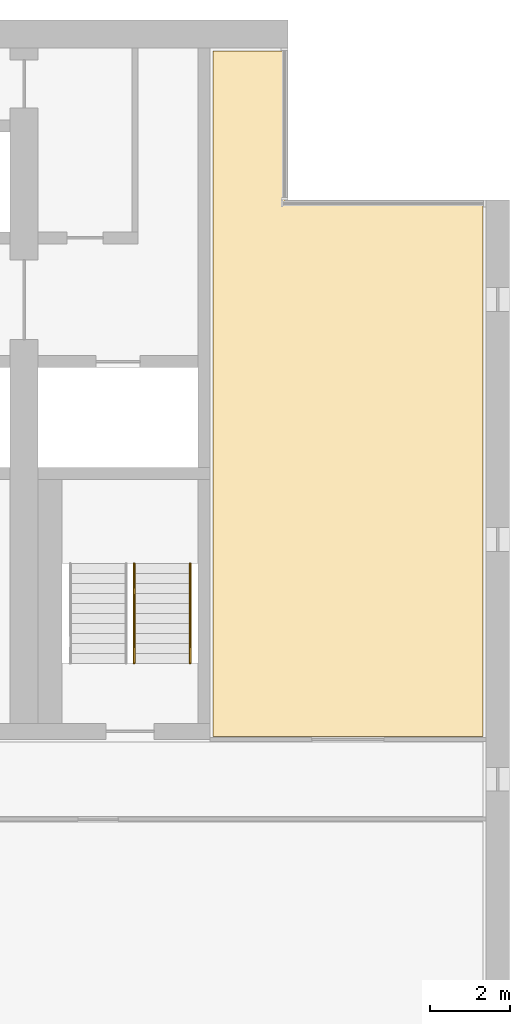
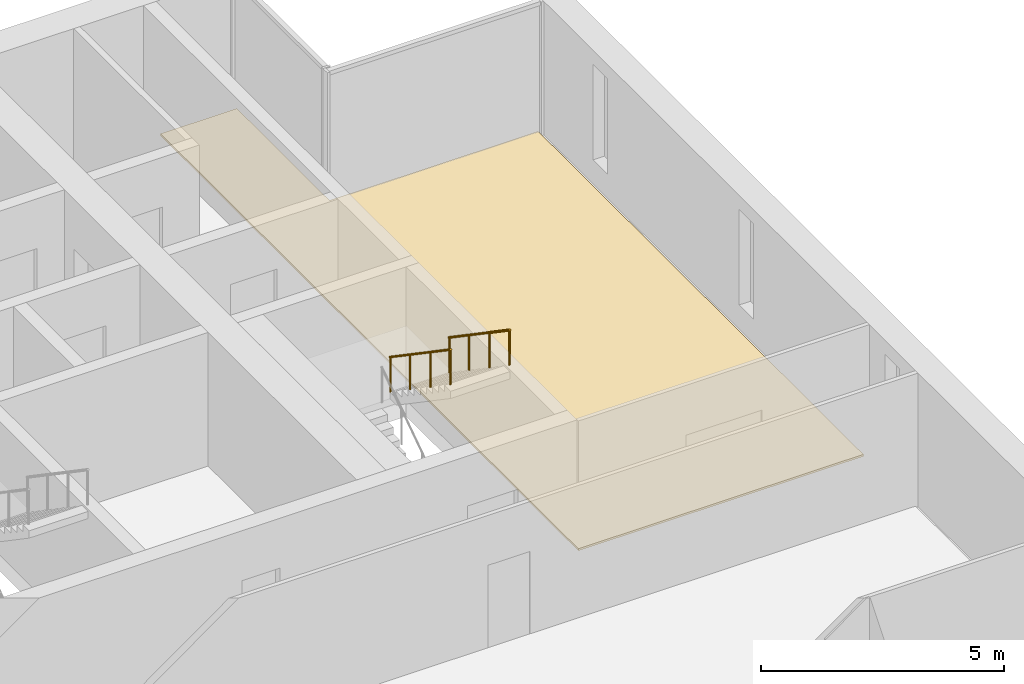
# One storey, part 17 of 17: 2 railings, 1 covering, 1 element without a shape of its own.
"""IFC4 building model written with IfcOpenShell, lengths in metres."""

from ifc_helpers import new_model, si_unit, direction, frame, origin, origin_2d, place, context, subcontext, project, spatial, polyline, circle, outline, extrude, material, layer, layer_set, type_object, element, aggregate, save


model = new_model("IFC4")

# Units and contexts
model_context = context("Model", 3, precision=1e-05, world=origin(), true_north=direction((0.0, 1.0)))
body_context = subcontext(model_context, "Body", "Model", "MODEL_VIEW")
ifc_project = project(units=[si_unit("LENGTHUNIT", "METRE"), si_unit("AREAUNIT", "SQUARE_METRE"), si_unit("VOLUMEUNIT", "CUBIC_METRE"), si_unit("PLANEANGLEUNIT", "RADIAN"), si_unit("MASSUNIT", "GRAM", prefix="KILO")], contexts=[model_context])

# Site, building, storey
site_placement = place(None, origin())
site = spatial("IfcSite", under=ifc_project, at=site_placement, CompositionType="ELEMENT")
building_placement = place(site_placement, origin())
building = spatial("IfcBuilding", under=site, at=building_placement, Name="Calvaro Tower", CompositionType="ELEMENT")
storey_placement = place(building_placement, frame((0.0, 0.0, 204.25)))
storey = spatial("IfcBuildingStorey", under=building, at=storey_placement, Name="L51", CompositionType="ELEMENT", Elevation=204.25)

# Covering
ifc_material_1 = material(Name="Cement screed with carpet tile finish")
ifc_layer = layer(ifc_material_1, 0.050048828125)
ifc_layer_set = layer_set([ifc_layer], Name="Cement screed with carpet tile finish")
covering_type = type_object("IfcCoveringType", Name="Floor finish 50", PredefinedType="FLOORING", material=ifc_layer_set)
covering_placement = place(storey_placement, origin())
element("IfcCovering", 1, at=covering_placement, inside=storey, type_object=covering_type, Name="Floor finish 29.19", PredefinedType="FLOORING", context=body_context, shape_type="SweptSolid", body=[
    extrude(outline(polyline([(71.330078125, 28.070068359375), (64.570068359375, 28.070068359375), (64.570068359375, 45.22998046875), (66.3798828125, 45.22998046875), (66.3798828125, 41.429931640625), (71.330078125, 41.429931640625), (71.330078125, 28.070068359375)])), origin(), (0.0, 0.0, 1.0), 0.050048828125),
])

# Stair, railings
ifc_material_2 = material(Name="Concrete C40/50", Category="concrete")
stair_type = type_object("IfcStairType", Name="Exit stair 1400 2 flights", PredefinedType="HALF_TURN_STAIR", material=ifc_material_2)
stair_placement = place(storey_placement, origin())
stair = element("IfcStair", 2, at=stair_placement, inside=storey, type_object=stair_type, Name="Exit stair S5", PredefinedType="HALF_TURN_STAIR")
ifc_material_3 = material(Name="Stainless steel", Category="steel")
railing_type = type_object("IfcRailingType", Name="Stair handrail", PredefinedType="HANDRAIL", material=ifc_material_3)
railing_1_placement = place(storey_placement, frame((62.60009765625, 32.39990234375, 2.04541015625)))
railing_1 = element("IfcRailing", 3, at=railing_1_placement, type_object=railing_type, Name="Exit stair 5 handrail", PredefinedType="HANDRAIL", context=body_context, shape_type="SweptSolid", body=[
    extrude(circle(Radius=0.02392578125, at=origin_2d()), frame((0.0, 0.0, 0.8759765625), z_axis=(0.0, -0.826220514629, 0.563346839174), x_axis=(1.0, 0.0, 0.0)), (0.0, 0.0, 1.0), 3.02587890625),
    extrude(circle(Radius=0.02099609375, at=origin_2d()), frame((0.0, -0.017333984375, 0.01171875)), (0.0, 0.0, 1.0), 0.851806640625),
    extrude(circle(Radius=0.02099609375, at=origin_2d()), frame((0.0, -0.833251953125, 0.568115234375)), (0.0, 0.0, 1.0), 0.851806640625),
    extrude(circle(Radius=0.02099609375, at=origin_2d()), frame((0.0, -1.666748046875, 1.136474609375)), (0.0, 0.0, 1.0), 0.851806640625),
    extrude(circle(Radius=0.02099609375, at=origin_2d()), frame((0.0, -2.482666015625, 1.69287109375)), (0.0, 0.0, 1.0), 0.851806640625),
])
railing_2_placement = place(storey_placement, frame((64.0, 32.39990234375, 2.04541015625)))
railing_2 = element("IfcRailing", 4, at=railing_2_placement, type_object=railing_type, Name="Exit stair 5 handrail", PredefinedType="HANDRAIL", context=body_context, shape_type="SweptSolid", body=[
    extrude(circle(Radius=0.02392578125, at=origin_2d()), frame((0.0, 0.0, 0.8759765625), z_axis=(0.0, -0.826220514629, 0.563346839174), x_axis=(1.0, 0.0, 0.0)), (0.0, 0.0, 1.0), 3.02587890625),
    extrude(circle(Radius=0.02099609375, at=origin_2d()), frame((0.0, -0.017333984375, 0.01171875)), (0.0, 0.0, 1.0), 0.851806640625),
    extrude(circle(Radius=0.02099609375, at=origin_2d()), frame((0.0, -0.833251953125, 0.568115234375)), (0.0, 0.0, 1.0), 0.851806640625),
    extrude(circle(Radius=0.02099609375, at=origin_2d()), frame((0.0, -1.666748046875, 1.136474609375)), (0.0, 0.0, 1.0), 0.851806640625),
    extrude(circle(Radius=0.02099609375, at=origin_2d()), frame((0.0, -2.482666015625, 1.69287109375)), (0.0, 0.0, 1.0), 0.851806640625),
])
aggregate(stair, [railing_1, railing_2])

save(model, "model.ifc")
